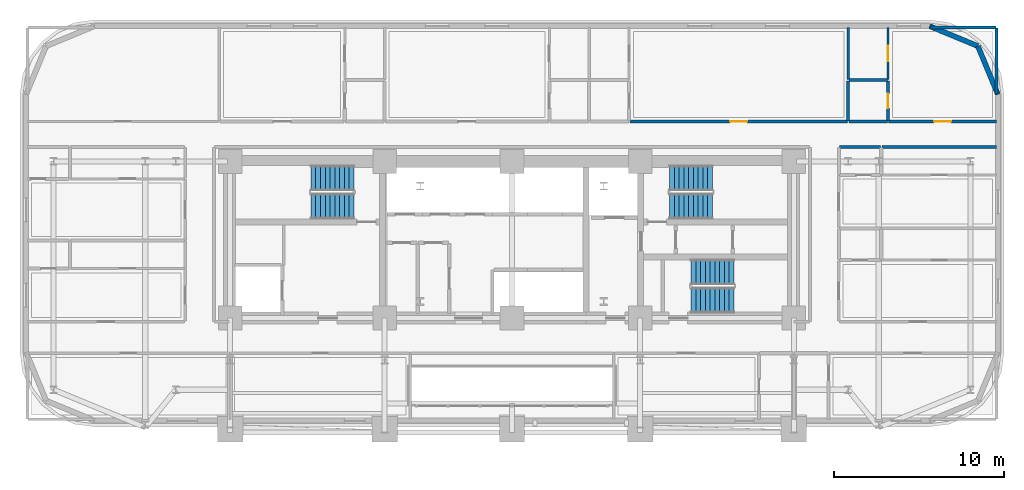
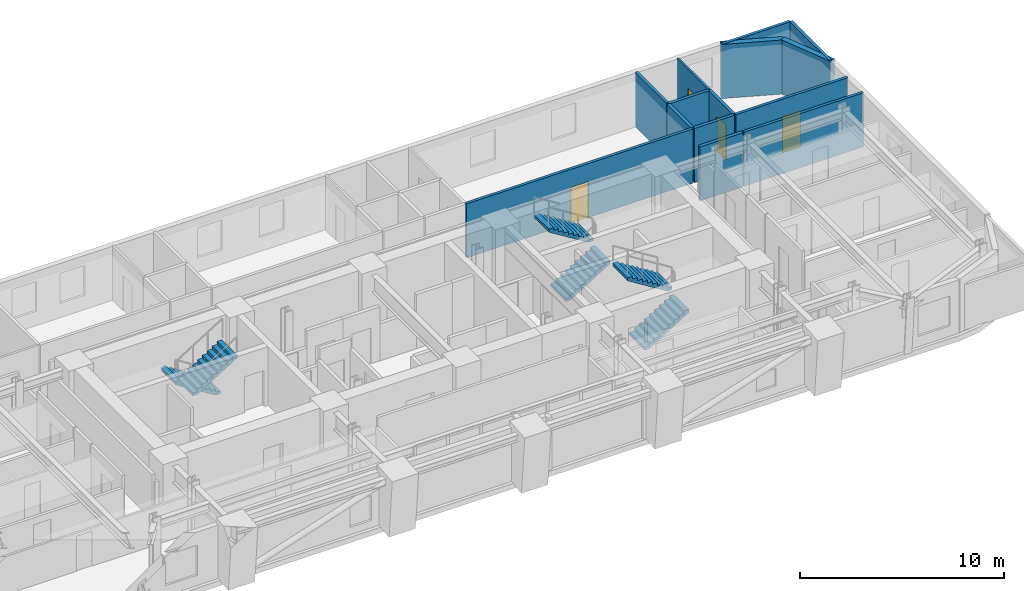
# One storey, part 12 of 16: 14 walls, 6 stair flights, 4 doors, 4 openings, 3 elements without a shape of their own.
"""IFC4 building model written with IfcOpenShell, lengths in metres."""

import ifcopenshell
import ifcopenshell.guid

model = None  # the IFC model being written
_history = None  # IfcOwnerHistory: only IFC2X3 demands one
_inside = {}  # id of a spatial element -> (the spatial element, [elements in it])
_under = {}  # id of a project, library or spatial element -> (it, [spatial elements below it])
_declared = {}  # id of a project -> (the project, [libraries it declares])
_typed = {}  # id of a type object -> (the type object, [elements of that type])
_made_of = {}  # id of a material, layer set ... -> (it, [elements and type objects made of it])


def new_model(schema):
    """Start an empty IFC model of exactly this schema.

    Asked for "IFC4X3", IfcOpenShell would pick the latest addendum, in which some entities
    have other attributes; the version numbers below select the first issue.
    IFC2X3 requires an IfcOwnerHistory on every rooted entity: one is made here for all.
    """
    global model, _history
    if schema == "IFC4X3":
        model = ifcopenshell.file(schema_version=(4, 3, 0, 0))
    else:
        model = ifcopenshell.file(schema=schema)
    _inside.clear()
    _under.clear()
    _declared.clear()
    _typed.clear()
    _made_of.clear()
    _history = None
    if model.schema == "IFC2X3":
        org = make("IfcOrganization", Name="unknown")
        user = make(
            "IfcPersonAndOrganization",
            ThePerson=make("IfcPerson", FamilyName="unknown"),
            TheOrganization=org,
        )
        app = make(
            "IfcApplication",
            ApplicationDeveloper=org,
            Version="unknown",
            ApplicationFullName="unknown",
            ApplicationIdentifier="unknown",
        )
        _history = make(
            "IfcOwnerHistory",
            OwningUser=user,
            OwningApplication=app,
            ChangeAction="ADDED",
            CreationDate=0,
        )
    return model


def make(cls, **values):
    """One entity of the class cls with the attributes given. An attribute that is None is left unset."""
    return model.create_entity(
        cls, **{name: value for name, value in values.items() if value is not None}
    )


def rooted(cls, **values):
    """An entity with a GlobalId (a new one), such as an element, a storey or a relation."""
    return make(cls, GlobalId=ifcopenshell.guid.new(), OwnerHistory=_history, **values)


def si_unit(unit_type, name, prefix=None):
    """IfcSIUnit, for example si_unit("LENGTHUNIT", "METRE", prefix="MILLI")."""
    return make("IfcSIUnit", UnitType=unit_type, Prefix=prefix, Name=name)


def assignment(units):
    """IfcUnitAssignment: the units of a project."""
    return None if units is None else make("IfcUnitAssignment", Units=units)


def point(xyz):
    """IfcCartesianPoint."""
    return None if xyz is None else make("IfcCartesianPoint", Coordinates=xyz)


def direction(xyz):
    """IfcDirection."""
    return None if xyz is None else make("IfcDirection", DirectionRatios=xyz)


def frame(location, z_axis=None, x_axis=None):
    """IfcAxis2Placement3D, a coordinate frame: its origin and axes. An axis left out is left unset."""
    return make(
        "IfcAxis2Placement3D",
        Location=point(location),
        Axis=direction(z_axis),
        RefDirection=direction(x_axis),
    )


def frame_2d(location, x_axis=None):
    """IfcAxis2Placement2D, a coordinate frame in the plane: its origin and x axis."""
    return make(
        "IfcAxis2Placement2D", Location=point(location), RefDirection=direction(x_axis)
    )


def origin():
    """The frame at (0, 0, 0) with its axes left unset."""
    return frame((0.0, 0.0, 0.0))


def place(relative_to, where):
    """IfcLocalPlacement: puts the frame where relative to a parent placement (None: the world)."""
    return make(
        "IfcLocalPlacement", PlacementRelTo=relative_to, RelativePlacement=where
    )


def context(
    kind, dimensions, precision=None, world=None, true_north=None, identifier=None
):
    """IfcGeometricRepresentationContext, for example the 3D "Model" context."""
    return make(
        "IfcGeometricRepresentationContext",
        ContextIdentifier=identifier,
        ContextType=kind,
        CoordinateSpaceDimension=dimensions,
        Precision=precision,
        WorldCoordinateSystem=world,
        TrueNorth=true_north,
    )


def subcontext(parent, identifier, kind, view, scale=None):
    """IfcGeometricRepresentationSubContext, for example "Body" below "Model"."""
    return make(
        "IfcGeometricRepresentationSubContext",
        ContextIdentifier=identifier,
        ContextType=kind,
        ParentContext=parent,
        TargetScale=scale,
        TargetView=view,
    )


def project(units=None, contexts=None):
    """IfcProject with its units and contexts."""
    return rooted(
        "IfcProject",
        Name="project",
        RepresentationContexts=contexts,
        UnitsInContext=assignment(units),
    )


def spatial(cls, under=None, at=None, **own):
    """A site, building, storey or space (cls), placed at a placement, below another one or the project."""
    s = rooted(cls, ObjectPlacement=at, **own)
    if under is not None:
        _under.setdefault(under.id(), (under, []))[1].append(s)
    return s


def polyline(points):
    """IfcPolyline through the points."""
    return make("IfcPolyline", Points=[point(p) for p in points])


def profile(cls, at=None, kind="AREA", **sizes):
    """A parametric profile (cls). Its sizes go by their IFC names, for example OverallWidth=200.0."""
    return make(cls, ProfileType=kind, Position=at, **sizes)


def rectangle(**sizes):
    """IfcRectangleProfileDef."""
    return profile("IfcRectangleProfileDef", **sizes)


def outline(outer, holes=None, kind="AREA"):
    """IfcArbitraryClosedProfileDef: a profile drawn as a closed curve; with holes, ...WithVoids."""
    if holes is None:
        return make("IfcArbitraryClosedProfileDef", ProfileType=kind, OuterCurve=outer)
    return make(
        "IfcArbitraryProfileDefWithVoids",
        ProfileType=kind,
        OuterCurve=outer,
        InnerCurves=holes,
    )


def extrude(swept, where, along, depth):
    """IfcExtrudedAreaSolid: the profile swept, set in the frame where, extruded along a direction by depth."""
    return make(
        "IfcExtrudedAreaSolid",
        SweptArea=swept,
        Position=where,
        ExtrudedDirection=direction(along),
        Depth=depth,
    )


def shape(context_of_items, identifier, shape_type, items):
    """IfcShapeRepresentation: the items that make up one representation, for example the "Body"."""
    return make(
        "IfcShapeRepresentation",
        ContextOfItems=context_of_items,
        RepresentationIdentifier=identifier,
        RepresentationType=shape_type,
        Items=items,
    )


def material(Name=None, Category=None):
    """IfcMaterial."""
    return make("IfcMaterial", Name=Name, Category=Category)


def layer(
    of_material, thickness, ventilated=None, Name=None, Category=None, Priority=None
):
    """IfcMaterialLayer: one layer of a wall or slab, of a material (None: an air gap)."""
    return make(
        "IfcMaterialLayer",
        Material=of_material,
        LayerThickness=thickness,
        IsVentilated=ventilated,
        Name=Name,
        Category=Category,
        Priority=Priority,
    )


def layer_set(layers, Name=None):
    """IfcMaterialLayerSet."""
    return make("IfcMaterialLayerSet", MaterialLayers=layers, LayerSetName=Name)


def made_of(thing, what):
    """Note that an element or type object is made of a material, layer set ...; save() writes the relation."""
    if what is not None:
        _made_of.setdefault(what.id(), (what, []))[1].append(thing)
    return thing


def type_object(cls, material=None, **own):
    """A type object (cls), such as IfcWallType, which elements share."""
    return made_of(rooted(cls, **own), material)


def element(
    cls,
    number,
    at=None,
    inside=None,
    cuts=None,
    type_object=None,
    material=None,
    context=None,
    identifier="Body",
    shape_type=None,
    held_by="IfcProductDefinitionShape",
    body=None,
    shapes=None,
    **own,
):
    """One element of the class cls, such as IfcWall. Its Tag is "e" and its number.

    at: its placement. inside: the storey or other place that contains it. cuts: it is an
    opening in that element (IfcRelVoidsElement). A single representation is given by context,
    identifier, shape_type and body (its items); several are given by shapes. held_by: the class
    of the entity that holds the representations. save() writes the other relations.
    """
    e = rooted(cls, Tag="e%d" % number, ObjectPlacement=at, **own)
    if body is not None:
        shapes = [shape(context, identifier, shape_type, body)]
    if shapes is not None:
        e.Representation = make(held_by, Representations=shapes)
    if inside is not None:
        _inside.setdefault(inside.id(), (inside, []))[1].append(e)
    if cuts is not None:
        rooted(
            "IfcRelVoidsElement", RelatingBuildingElement=cuts, RelatedOpeningElement=e
        )
    if type_object is not None:
        _typed.setdefault(type_object.id(), (type_object, []))[1].append(e)
    return made_of(e, material)


def fill(opening, filler):
    """IfcRelFillsElement: the door or window that sits in an opening."""
    return rooted(
        "IfcRelFillsElement",
        RelatingOpeningElement=opening,
        RelatedBuildingElement=filler,
    )


def aggregate(whole, parts):
    """IfcRelAggregates: a whole, such as a stair, and the parts it consists of."""
    return rooted("IfcRelAggregates", RelatingObject=whole, RelatedObjects=parts)


def save(model, path):
    """Write the relations noted so far, then the file.

    IfcRelAggregates (storeys below a building ...), IfcRelContainedInSpatialStructure (elements
    in a storey), IfcRelDefinesByType, IfcRelAssociatesMaterial and IfcRelDeclares: one each for
    every whole, place, type object, material and project.
    """
    for whole, parts in _under.values():
        aggregate(whole, parts)
    for where, things in _inside.values():
        rooted(
            "IfcRelContainedInSpatialStructure",
            RelatedElements=things,
            RelatingStructure=where,
        )
    for kind, things in _typed.values():
        rooted("IfcRelDefinesByType", RelatedObjects=things, RelatingType=kind)
    for what, things in _made_of.values():
        rooted("IfcRelAssociatesMaterial", RelatedObjects=things, RelatingMaterial=what)
    for by, libraries in _declared.values():
        rooted("IfcRelDeclares", RelatingContext=by, RelatedDefinitions=libraries)
    model.write(path)


model = new_model("IFC4")

# Units and contexts
model_context = context("Model", 3, precision=1e-05, world=origin(), true_north=direction((0.0, 1.0)))
body_context = subcontext(model_context, "Body", "Model", "MODEL_VIEW")
ifc_project = project(units=[si_unit("LENGTHUNIT", "METRE"), si_unit("AREAUNIT", "SQUARE_METRE"), si_unit("VOLUMEUNIT", "CUBIC_METRE"), si_unit("PLANEANGLEUNIT", "RADIAN"), si_unit("MASSUNIT", "GRAM", prefix="KILO")], contexts=[model_context])

# Site, building, storey
site_placement = place(None, origin())
site = spatial("IfcSite", under=ifc_project, at=site_placement, CompositionType="ELEMENT")
building_placement = place(site_placement, origin())
building = spatial("IfcBuilding", under=site, at=building_placement, Name="Zarnavel Station Tower", CompositionType="ELEMENT")
storey_placement = place(building_placement, frame((0.0, 0.0, 53.5)))
storey = spatial("IfcBuildingStorey", under=building, at=storey_placement, Name="L14", CompositionType="ELEMENT", Elevation=53.5)

# Walls
ifc_material_1 = material(Name="Precast concrete C45/55 (Dark Basalt Finish)", Category="masonry")
ifc_layer_1 = layer(ifc_material_1, 0.300048828125)
ifc_layer_set_1 = layer_set([ifc_layer_1], Name="EW_BASALT_300")
wall_type_1 = type_object("IfcWallType", Name="EW_BASALT_300", PredefinedType="SOLIDWALL", material=ifc_layer_set_1)
wall_1_placement = place(storey_placement, frame((56.24267578125, 43.842529296875, 0.0), z_axis=(0.0, 0.0, 1.0), x_axis=(0.382636798336, -0.92389884758, 0.0)))
element("IfcWall", 1, at=wall_1_placement, inside=storey, type_object=wall_type_1, Name="L14 Exterior Basalt Masonry Frame Wall 04", PredefinedType="SOLIDWALL", context=body_context, shape_type="SweptSolid", body=[
    extrude(rectangle(XDim=3.07666015625, YDim=0.300048828125, at=frame_2d((1.538330078125, 0.0))), origin(), (0.0, 0.0, 1.0), 3.239990234375),
])
wall_2_placement = place(storey_placement, frame((53.39990234375, 45.02001953125, 0.0), z_axis=(0.0, 0.0, 1.0), x_axis=(0.923882414032, -0.382676475685, 0.0)))
element("IfcWall", 2, at=wall_2_placement, inside=storey, type_object=wall_type_1, Name="L14 Exterior Basalt Masonry Frame Wall 05", PredefinedType="SOLIDWALL", context=body_context, shape_type="SweptSolid", body=[
    extrude(rectangle(XDim=3.076904296875, YDim=0.300048828125, at=frame_2d((1.53857421875, 0.0))), origin(), (0.0, 0.0, 1.0), 3.239990234375),
])
ifc_material_2 = material(Name="Gypsum Twin-Stud Acoustic Fire Partition", Category="concrete")
ifc_layer_2 = layer(ifc_material_2, 0.159912109375)
ifc_layer_set_2 = layer_set([ifc_layer_2], Name="PT_DEMISE_160")
wall_type_2 = type_object("IfcWallType", Name="PT_DEMISE_160", PredefinedType="PARTITIONING", material=ifc_layer_set_2)
wall_3_placement = place(storey_placement, frame((50.590087890625, 37.89990234375, 0.0), z_axis=(0.0, 0.0, 1.0), x_axis=(1.0, 0.0, 0.0)))
element("IfcWall", 3, at=wall_3_placement, inside=storey, type_object=wall_type_2, Name="L14 Partition COR-N-FNE2S", PredefinedType="PARTITIONING", context=body_context, shape_type="SweptSolid", body=[
    extrude(rectangle(XDim=6.75, YDim=0.159912109375, at=frame_2d((3.375, 0.0))), origin(), (0.0, 0.0, 1.0), 3.239990234375),
])

# Wall, opening, door
wall_4_placement = place(storey_placement, frame((35.737060546875, 39.39990234375, 0.0), z_axis=(0.0, 0.0, 1.0), x_axis=(1.0, 0.0, 0.0)))
wall_4 = element("IfcWall", 4, at=wall_4_placement, inside=storey, type_object=wall_type_2, Name="L14 Partition COR-N-HN3R", PredefinedType="PARTITIONING", context=body_context, shape_type="SweptSolid", body=[
    extrude(rectangle(XDim=12.822998046875, YDim=0.159912109375, at=frame_2d((6.41162109375, 0.0))), origin(), (0.0, 0.0, 1.0), 3.239990234375),
])
opening_1_placement = place(wall_4_placement, frame((5.91162109375, 0.0, 0.0)))
opening_1 = element("IfcOpeningElement", 5, at=opening_1_placement, cuts=wall_4, Name="Opening FD02", PredefinedType="OPENING", context=body_context, shape_type="SweptSolid", body=[
    extrude(rectangle(XDim=1.0, YDim=2.14990234375, at=frame_2d((0.5, 1.074951171875))), frame((0.0, 0.08984375, 0.0), z_axis=(0.0, -1.0, 0.0), x_axis=(1.0, 0.0, 0.0)), (0.0, 0.0, 1.0), 0.179931640625),
])
ifc_material_3 = material(Name="Painted Galvanised Steel and Hardwood Leaf", Category="steel")
door_type_1 = type_object("IfcDoorType", Name="ID_ENTRY_1000", OperationType="NOTDEFINED", PredefinedType="DOOR", material=ifc_material_3)
door_1_placement = place(opening_1_placement, origin())
door_1 = element("IfcDoor", 6, at=door_1_placement, inside=storey, type_object=door_type_1, Name="L14 Door COR-N-HN3R", OperationType="SINGLE_SWING_LEFT", OverallHeight=2.14990234375, OverallWidth=1.0, PredefinedType="DOOR", context=body_context, shape_type="SweptSolid", body=[
    extrude(rectangle(XDim=1.0, YDim=2.14990234375, at=frame_2d((0.5, 1.074951171875))), frame((0.0, 0.02490234375, 0.0), z_axis=(0.0, -1.0, 0.0), x_axis=(1.0, 0.0, 0.0)), (0.0, 0.0, 1.0), 0.050048828125),
])
fill(opening_1, door_1)

wall_5_placement = place(storey_placement, frame((50.989990234375, 39.39990234375, 0.0), z_axis=(0.0, 0.0, 1.0), x_axis=(1.0, 0.0, 0.0)))
wall_5 = element("IfcWall", 7, at=wall_5_placement, inside=storey, type_object=wall_type_2, Name="L14 Partition COR-N-HN4R", PredefinedType="PARTITIONING", context=body_context, shape_type="SweptSolid", body=[
    extrude(rectangle(XDim=6.35009765625, YDim=0.159912109375, at=frame_2d((3.175048828125, 0.0))), origin(), (0.0, 0.0, 1.0), 3.239990234375),
])
opening_2_placement = place(wall_5_placement, frame((2.675048828125, 0.0, 0.0)))
opening_2 = element("IfcOpeningElement", 8, at=opening_2_placement, cuts=wall_5, Name="Opening FD02", PredefinedType="OPENING", context=body_context, shape_type="SweptSolid", body=[
    extrude(rectangle(XDim=1.0, YDim=2.14990234375, at=frame_2d((0.5, 1.074951171875))), frame((0.0, 0.08984375, 0.0), z_axis=(0.0, -1.0, 0.0), x_axis=(1.0, 0.0, 0.0)), (0.0, 0.0, 1.0), 0.179931640625),
])
door_2_placement = place(opening_2_placement, origin())
door_2 = element("IfcDoor", 9, at=door_2_placement, inside=storey, type_object=door_type_1, Name="L14 Door COR-N-HN4R", OperationType="SINGLE_SWING_RIGHT", OverallHeight=2.14990234375, OverallWidth=1.0, PredefinedType="DOOR", context=body_context, shape_type="SweptSolid", body=[
    extrude(rectangle(XDim=1.0, YDim=2.14990234375, at=frame_2d((0.5, 1.074951171875))), frame((0.0, 0.02490234375, 0.0), z_axis=(0.0, -1.0, 0.0), x_axis=(1.0, 0.0, 0.0)), (0.0, 0.0, 1.0), 0.050048828125),
])
fill(opening_2, door_2)

# Walls
wall_6_placement = place(storey_placement, frame((48.60009765625, 41.8779296875, 0.0), z_axis=(0.0, 0.0, 1.0), x_axis=(0.0, 1.0, 0.0)))
element("IfcWall", 10, at=wall_6_placement, inside=storey, type_object=wall_type_2, Name="L14 Partition HN3R-HN4S", PredefinedType="PARTITIONING", context=body_context, shape_type="SweptSolid", body=[
    extrude(rectangle(XDim=3.06201171875, YDim=0.159912109375, at=frame_2d((1.531005859375, 0.0))), origin(), (0.0, 0.0, 1.0), 3.239990234375),
])
wall_7_placement = place(storey_placement, frame((53.429931640625, 44.93994140625, 0.0), z_axis=(0.0, 0.0, 1.0), x_axis=(1.0, 0.0, 0.0)))
element("IfcWall", 11, at=wall_7_placement, inside=storey, type_object=wall_type_2, Name="L14 Enclosure Wall HN4R", PredefinedType="PARTITIONING", context=body_context, shape_type="SweptSolid", body=[
    extrude(rectangle(XDim=3.880126953125, YDim=0.159912109375, at=frame_2d((1.93994140625, 0.0))), origin(), (0.0, 0.0, 1.0), 3.239990234375),
])
wall_8_placement = place(storey_placement, frame((57.340087890625, 41.030029296875, 0.0), z_axis=(0.0, 0.0, 1.0), x_axis=(0.0, 1.0, 0.0)))
element("IfcWall", 12, at=wall_8_placement, inside=storey, type_object=wall_type_2, Name="L14 Enclosure Wall HN4R", PredefinedType="PARTITIONING", context=body_context, shape_type="SweptSolid", body=[
    extrude(rectangle(XDim=3.8798828125, YDim=0.159912109375, at=frame_2d((1.93994140625, 0.0))), origin(), (0.0, 0.0, 1.0), 3.239990234375),
])

# Wall, opening, door
ifc_material_4 = material(Name="Gypsum Metal-Stud Interior Partition", Category="concrete")
ifc_layer_3 = layer(ifc_material_4, 0.1201171875)
ifc_layer_set_3 = layer_set([ifc_layer_3], Name="PT_ROOM_120")
wall_type_3 = type_object("IfcWallType", Name="PT_ROOM_120", PredefinedType="PARTITIONING", material=ifc_layer_set_3)
wall_9_placement = place(storey_placement, frame((50.949951171875, 41.8779296875, 0.0), z_axis=(0.0, 0.0, 1.0), x_axis=(0.0, 1.0, 0.0)))
wall_9 = element("IfcWall", 13, at=wall_9_placement, inside=storey, type_object=wall_type_3, Name="L14 Partition HN4R-HN4S", PredefinedType="PARTITIONING", context=body_context, shape_type="SweptSolid", body=[
    extrude(rectangle(XDim=3.06201171875, YDim=0.1201171875, at=frame_2d((1.531005859375, 0.0))), origin(), (0.0, 0.0, 1.0), 3.239990234375),
])
opening_3_placement = place(wall_9_placement, frame((1.0810546875, 0.0, 0.0)))
opening_3 = element("IfcOpeningElement", 14, at=opening_3_placement, cuts=wall_9, Name="Opening ID01", PredefinedType="OPENING", context=body_context, shape_type="SweptSolid", body=[
    extrude(rectangle(XDim=0.89990234375, YDim=2.10009765625, at=frame_2d((0.449951171875, 1.050048828125))), frame((0.0, 0.070068359375, 0.0), z_axis=(0.0, -1.0, 0.0), x_axis=(1.0, 0.0, 0.0)), (0.0, 0.0, 1.0), 0.14013671875),
])
ifc_material_5 = material(Name="Painted Galvanised Steel and Hardwood Leaf", Category="steel")
door_type_2 = type_object("IfcDoorType", Name="ID_ROOM_900", OperationType="NOTDEFINED", PredefinedType="DOOR", material=ifc_material_5)
door_3_placement = place(opening_3_placement, origin())
door_3 = element("IfcDoor", 15, at=door_3_placement, inside=storey, type_object=door_type_2, Name="L14 Door HN4R-HN4S", OperationType="SINGLE_SWING_RIGHT", OverallHeight=2.10009765625, OverallWidth=0.89990234375, PredefinedType="DOOR", context=body_context, shape_type="SweptSolid", body=[
    extrude(rectangle(XDim=0.89990234375, YDim=2.10009765625, at=frame_2d((0.449951171875, 1.050048828125))), frame((0.0, 0.02490234375, 0.0), z_axis=(0.0, -1.0, 0.0), x_axis=(1.0, 0.0, 0.0)), (0.0, 0.0, 1.0), 0.050048828125),
])
fill(opening_3, door_3)

# Walls
ifc_material_6 = material(Name="Moisture-Resistant Plumbing Chase Wall", Category="concrete")
ifc_layer_4 = layer(ifc_material_6, 0.179931640625)
ifc_layer_set_4 = layer_set([ifc_layer_4], Name="PW_PLUMB_180")
wall_type_4 = type_object("IfcWallType", Name="PW_PLUMB_180", PredefinedType="PLUMBINGWALL", material=ifc_layer_set_4)
wall_10_placement = place(storey_placement, frame((48.090087890625, 37.89990234375, 0.0), z_axis=(0.0, 0.0, 1.0), x_axis=(1.0, 0.0, 0.0)))
element("IfcWall", 16, at=wall_10_placement, inside=storey, type_object=wall_type_4, Name="L14 Partition COR-N-FNE2B", PredefinedType="PLUMBINGWALL", context=body_context, shape_type="SweptSolid", body=[
    extrude(rectangle(XDim=2.419921875, YDim=0.179931640625, at=frame_2d((1.2099609375, 0.0))), origin(), (0.0, 0.0, 1.0), 3.239990234375),
])
wall_11_placement = place(storey_placement, frame((48.639892578125, 39.39990234375, 0.0), z_axis=(0.0, 0.0, 1.0), x_axis=(1.0, 0.0, 0.0)))
element("IfcWall", 17, at=wall_11_placement, inside=storey, type_object=wall_type_4, Name="L14 Partition COR-N-HN4B", PredefinedType="PLUMBINGWALL", context=body_context, shape_type="SweptSolid", body=[
    extrude(rectangle(XDim=2.27001953125, YDim=0.179931640625, at=frame_2d((1.135009765625, 0.0))), origin(), (0.0, 0.0, 1.0), 3.239990234375),
])
wall_12_placement = place(storey_placement, frame((48.60009765625, 39.43994140625, 0.0), z_axis=(0.0, 0.0, 1.0), x_axis=(0.0, 1.0, 0.0)))
element("IfcWall", 18, at=wall_12_placement, inside=storey, type_object=wall_type_4, Name="L14 Partition HN3R-HN4B", PredefinedType="PLUMBINGWALL", context=body_context, shape_type="SweptSolid", body=[
    extrude(rectangle(XDim=2.358154296875, YDim=0.179931640625, at=frame_2d((1.17919921875, 0.0))), origin(), (0.0, 0.0, 1.0), 3.239990234375),
])

# Wall, opening, door
wall_13_placement = place(storey_placement, frame((50.949951171875, 39.43994140625, 0.0), z_axis=(0.0, 0.0, 1.0), x_axis=(0.0, 1.0, 0.0)))
wall_13 = element("IfcWall", 19, at=wall_13_placement, inside=storey, type_object=wall_type_4, Name="L14 Partition HN4R-HN4B", PredefinedType="PLUMBINGWALL", context=body_context, shape_type="SweptSolid", body=[
    extrude(rectangle(XDim=2.358154296875, YDim=0.179931640625, at=frame_2d((1.17919921875, 0.0))), origin(), (0.0, 0.0, 1.0), 3.239990234375),
])
opening_4_placement = place(wall_13_placement, frame((0.75390625, 0.0, 0.0)))
opening_4 = element("IfcOpeningElement", 20, at=opening_4_placement, cuts=wall_13, Name="Opening ID02", PredefinedType="OPENING", context=body_context, shape_type="SweptSolid", body=[
    extrude(rectangle(XDim=0.85009765625, YDim=2.10009765625, at=frame_2d((0.425048828125, 1.050048828125))), frame((0.0, 0.099853515625, 0.0), z_axis=(0.0, -1.0, 0.0), x_axis=(1.0, 0.0, 0.0)), (0.0, 0.0, 1.0), 0.199951171875),
])
ifc_material_7 = material(Name="Painted Galvanised Steel and Hardwood Leaf", Category="steel")
door_type_3 = type_object("IfcDoorType", Name="ID_BATH_850", OperationType="NOTDEFINED", PredefinedType="DOOR", material=ifc_material_7)
door_4_placement = place(opening_4_placement, origin())
door_4 = element("IfcDoor", 21, at=door_4_placement, inside=storey, type_object=door_type_3, Name="L14 Door HN4R-HN4B", OperationType="SINGLE_SWING_LEFT", OverallHeight=2.10009765625, OverallWidth=0.85009765625, PredefinedType="DOOR", context=body_context, shape_type="SweptSolid", body=[
    extrude(rectangle(XDim=0.85009765625, YDim=2.10009765625, at=frame_2d((0.425048828125, 1.050048828125))), frame((0.0, 0.02490234375, 0.0), z_axis=(0.0, -1.0, 0.0), x_axis=(1.0, 0.0, 0.0)), (0.0, 0.0, 1.0), 0.050048828125),
])
fill(opening_4, door_4)

# Wall
wall_14_placement = place(storey_placement, frame((48.639892578125, 41.837890625, 0.0), z_axis=(0.0, 0.0, 1.0), x_axis=(1.0, 0.0, 0.0)))
element("IfcWall", 22, at=wall_14_placement, inside=storey, type_object=wall_type_4, Name="L14 Partition HN4B-HN4S", PredefinedType="PLUMBINGWALL", context=body_context, shape_type="SweptSolid", body=[
    extrude(rectangle(XDim=2.27001953125, YDim=0.179931640625, at=frame_2d((1.135009765625, 0.0))), origin(), (0.0, 0.0, 1.0), 3.239990234375),
])

# Stair, stair flights
ifc_material_8 = material(Name="Concrete C45/55", Category="concrete")
stair_type = type_object("IfcStairType", Name="ST_CORE_150", PredefinedType="HALF_TURN_STAIR", material=ifc_material_8)
stair_1_placement = place(storey_placement, origin())
stair_1 = element("IfcStair", 23, at=stair_1_placement, inside=storey, type_object=stair_type, Name="L14 Core Exit Stair ST1", PredefinedType="HALF_TURN_STAIR")
ifc_material_9 = material(Name="Concrete C45/55", Category="concrete")
ifc_layer_5 = layer(ifc_material_9, 0.179931640625)
ifc_layer_set_5 = layer_set([ifc_layer_5], Name="ST_CORE_150_FLT")
stair_flight_type = type_object("IfcStairFlightType", Name="ST_CORE_150_FLT", PredefinedType="STRAIGHT", material=ifc_layer_set_5)
stair_flight_1_placement = place(storey_placement, frame((19.47998046875, 36.070068359375, 0.0), z_axis=(0.0, 0.0, 1.0), x_axis=(-1.0, 0.0, 0.0)))
stair_flight_1 = element("IfcStairFlight", 24, at=stair_flight_1_placement, type_object=stair_flight_type, Name="ST1 flight 1", NumberOfRisers=10, NumberOfTreads=9, PredefinedType="STRAIGHT", RiserHeight=0.175, TreadLength=0.28, context=body_context, shape_type="SweptSolid", body=[
    extrude(outline(polyline([(0.0, 0.0), (0.0, 0.175048828125), (0.280029296875, 0.175048828125), (0.280029296875, 0.35009765625), (0.56005859375, 0.35009765625), (0.56005859375, 0.52490234375), (0.840087890625, 0.52490234375), (0.840087890625, 0.699951171875), (1.1201171875, 0.699951171875), (1.1201171875, 0.875), (1.39990234375, 0.875), (1.39990234375, 1.050048828125), (1.679931640625, 1.050048828125), (1.679931640625, 1.22509765625), (1.9599609375, 1.22509765625), (1.9599609375, 1.39990234375), (2.239990234375, 1.39990234375), (2.239990234375, 1.574951171875), (2.52001953125, 1.574951171875), (2.52001953125, 1.75), (2.52001953125, 1.398193359375), (0.28271484375, 0.0), (0.0, 0.0)])), frame((0.0, 0.75, 0.0), z_axis=(0.0, -1.0, 0.0), x_axis=(1.0, 0.0, 0.0)), (0.0, 0.0, 1.0), 1.5),
])
stair_flight_2_placement = place(storey_placement, frame((16.9599609375, 34.409912109375, 1.75), z_axis=(0.0, 0.0, 1.0), x_axis=(1.0, 0.0, 0.0)))
stair_flight_2 = element("IfcStairFlight", 25, at=stair_flight_2_placement, type_object=stair_flight_type, Name="ST1 flight 2", NumberOfRisers=10, NumberOfTreads=9, PredefinedType="STRAIGHT", RiserHeight=0.175, TreadLength=0.28, context=body_context, shape_type="SweptSolid", body=[
    extrude(outline(polyline([(0.0, 0.0), (0.0, 0.175048828125), (0.280029296875, 0.175048828125), (0.280029296875, 0.35009765625), (0.56005859375, 0.35009765625), (0.56005859375, 0.52490234375), (0.840087890625, 0.52490234375), (0.840087890625, 0.699951171875), (1.1201171875, 0.699951171875), (1.1201171875, 0.875), (1.39990234375, 0.875), (1.39990234375, 1.050048828125), (1.679931640625, 1.050048828125), (1.679931640625, 1.22509765625), (1.9599609375, 1.22509765625), (1.9599609375, 1.39990234375), (2.239990234375, 1.39990234375), (2.239990234375, 1.574951171875), (2.52001953125, 1.574951171875), (2.52001953125, 1.75), (2.52001953125, 1.398193359375), (0.28271484375, 0.0), (0.0, 0.0)])), frame((0.0, 0.75, 0.0), z_axis=(0.0, -1.0, 0.0), x_axis=(1.0, 0.0, 0.0)), (0.0, 0.0, 1.0), 1.5),
])
aggregate(stair_1, [stair_flight_1, stair_flight_2])

stair_2_placement = place(storey_placement, origin())
stair_2 = element("IfcStair", 26, at=stair_2_placement, inside=storey, type_object=stair_type, Name="L14 Core Exit Stair ST2", PredefinedType="HALF_TURN_STAIR")
stair_flight_3_placement = place(storey_placement, frame((38.080078125, 34.409912109375, 0.0), z_axis=(0.0, 0.0, 1.0), x_axis=(1.0, 0.0, 0.0)))
stair_flight_3 = element("IfcStairFlight", 27, at=stair_flight_3_placement, type_object=stair_flight_type, Name="ST2 flight 1", NumberOfRisers=10, NumberOfTreads=9, PredefinedType="STRAIGHT", RiserHeight=0.175, TreadLength=0.28, context=body_context, shape_type="SweptSolid", body=[
    extrude(outline(polyline([(0.0, 0.0), (0.0, 0.175048828125), (0.280029296875, 0.175048828125), (0.280029296875, 0.35009765625), (0.56005859375, 0.35009765625), (0.56005859375, 0.52490234375), (0.840087890625, 0.52490234375), (0.840087890625, 0.699951171875), (1.1201171875, 0.699951171875), (1.1201171875, 0.875), (1.39990234375, 0.875), (1.39990234375, 1.050048828125), (1.679931640625, 1.050048828125), (1.679931640625, 1.22509765625), (1.9599609375, 1.22509765625), (1.9599609375, 1.39990234375), (2.239990234375, 1.39990234375), (2.239990234375, 1.574951171875), (2.52001953125, 1.574951171875), (2.52001953125, 1.75), (2.52001953125, 1.398193359375), (0.28271484375, 0.0), (0.0, 0.0)])), frame((0.0, 0.75, 0.0), z_axis=(0.0, -1.0, 0.0), x_axis=(1.0, 0.0, 0.0)), (0.0, 0.0, 1.0), 1.5),
])
stair_flight_4_placement = place(storey_placement, frame((40.60009765625, 36.070068359375, 1.75), z_axis=(0.0, 0.0, 1.0), x_axis=(-1.0, 0.0, 0.0)))
stair_flight_4 = element("IfcStairFlight", 28, at=stair_flight_4_placement, type_object=stair_flight_type, Name="ST2 flight 2", NumberOfRisers=10, NumberOfTreads=9, PredefinedType="STRAIGHT", RiserHeight=0.175, TreadLength=0.28, context=body_context, shape_type="SweptSolid", body=[
    extrude(outline(polyline([(0.0, 0.0), (0.0, 0.175048828125), (0.280029296875, 0.175048828125), (0.280029296875, 0.35009765625), (0.56005859375, 0.35009765625), (0.56005859375, 0.52490234375), (0.840087890625, 0.52490234375), (0.840087890625, 0.699951171875), (1.1201171875, 0.699951171875), (1.1201171875, 0.875), (1.39990234375, 0.875), (1.39990234375, 1.050048828125), (1.679931640625, 1.050048828125), (1.679931640625, 1.22509765625), (1.9599609375, 1.22509765625), (1.9599609375, 1.39990234375), (2.239990234375, 1.39990234375), (2.239990234375, 1.574951171875), (2.52001953125, 1.574951171875), (2.52001953125, 1.75), (2.52001953125, 1.398193359375), (0.28271484375, 0.0), (0.0, 0.0)])), frame((0.0, 0.75, 0.0), z_axis=(0.0, -1.0, 0.0), x_axis=(1.0, 0.0, 0.0)), (0.0, 0.0, 1.0), 1.5),
])
aggregate(stair_2, [stair_flight_3, stair_flight_4])

stair_3_placement = place(storey_placement, origin())
stair_3 = element("IfcStair", 29, at=stair_3_placement, inside=storey, type_object=stair_type, Name="L14 Core Exit Stair ST3", PredefinedType="HALF_TURN_STAIR")
stair_flight_5_placement = place(storey_placement, frame((39.35009765625, 28.8701171875, 0.0), z_axis=(0.0, 0.0, 1.0), x_axis=(1.0, 0.0, 0.0)))
stair_flight_5 = element("IfcStairFlight", 30, at=stair_flight_5_placement, type_object=stair_flight_type, Name="ST3 flight 1", NumberOfRisers=10, NumberOfTreads=9, PredefinedType="STRAIGHT", RiserHeight=0.175, TreadLength=0.28, context=body_context, shape_type="SweptSolid", body=[
    extrude(outline(polyline([(0.0, 0.0), (0.0, 0.175048828125), (0.280029296875, 0.175048828125), (0.280029296875, 0.35009765625), (0.56005859375, 0.35009765625), (0.56005859375, 0.52490234375), (0.840087890625, 0.52490234375), (0.840087890625, 0.699951171875), (1.1201171875, 0.699951171875), (1.1201171875, 0.875), (1.39990234375, 0.875), (1.39990234375, 1.050048828125), (1.679931640625, 1.050048828125), (1.679931640625, 1.22509765625), (1.9599609375, 1.22509765625), (1.9599609375, 1.39990234375), (2.239990234375, 1.39990234375), (2.239990234375, 1.574951171875), (2.52001953125, 1.574951171875), (2.52001953125, 1.75), (2.52001953125, 1.398193359375), (0.28271484375, 0.0), (0.0, 0.0)])), frame((0.0, 0.75, 0.0), z_axis=(0.0, -1.0, 0.0), x_axis=(1.0, 0.0, 0.0)), (0.0, 0.0, 1.0), 1.5),
])
stair_flight_6_placement = place(storey_placement, frame((41.8701171875, 30.530029296875, 1.75), z_axis=(0.0, 0.0, 1.0), x_axis=(-1.0, 0.0, 0.0)))
stair_flight_6 = element("IfcStairFlight", 31, at=stair_flight_6_placement, type_object=stair_flight_type, Name="ST3 flight 2", NumberOfRisers=10, NumberOfTreads=9, PredefinedType="STRAIGHT", RiserHeight=0.175, TreadLength=0.28, context=body_context, shape_type="SweptSolid", body=[
    extrude(outline(polyline([(0.0, 0.0), (0.0, 0.175048828125), (0.280029296875, 0.175048828125), (0.280029296875, 0.35009765625), (0.56005859375, 0.35009765625), (0.56005859375, 0.52490234375), (0.840087890625, 0.52490234375), (0.840087890625, 0.699951171875), (1.1201171875, 0.699951171875), (1.1201171875, 0.875), (1.39990234375, 0.875), (1.39990234375, 1.050048828125), (1.679931640625, 1.050048828125), (1.679931640625, 1.22509765625), (1.9599609375, 1.22509765625), (1.9599609375, 1.39990234375), (2.239990234375, 1.39990234375), (2.239990234375, 1.574951171875), (2.52001953125, 1.574951171875), (2.52001953125, 1.75), (2.52001953125, 1.398193359375), (0.28271484375, 0.0), (0.0, 0.0)])), frame((0.0, 0.75, 0.0), z_axis=(0.0, -1.0, 0.0), x_axis=(1.0, 0.0, 0.0)), (0.0, 0.0, 1.0), 1.5),
])
aggregate(stair_3, [stair_flight_5, stair_flight_6])

save(model, "model.ifc")
